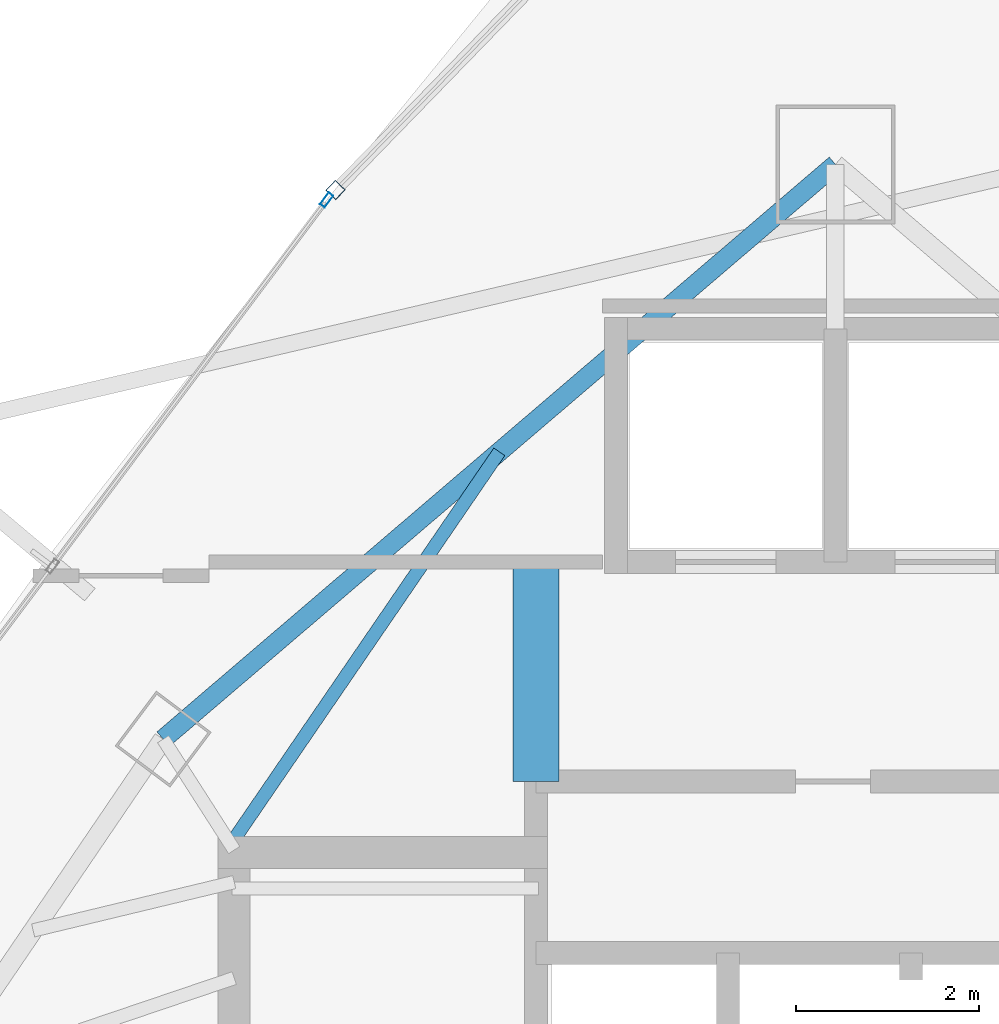
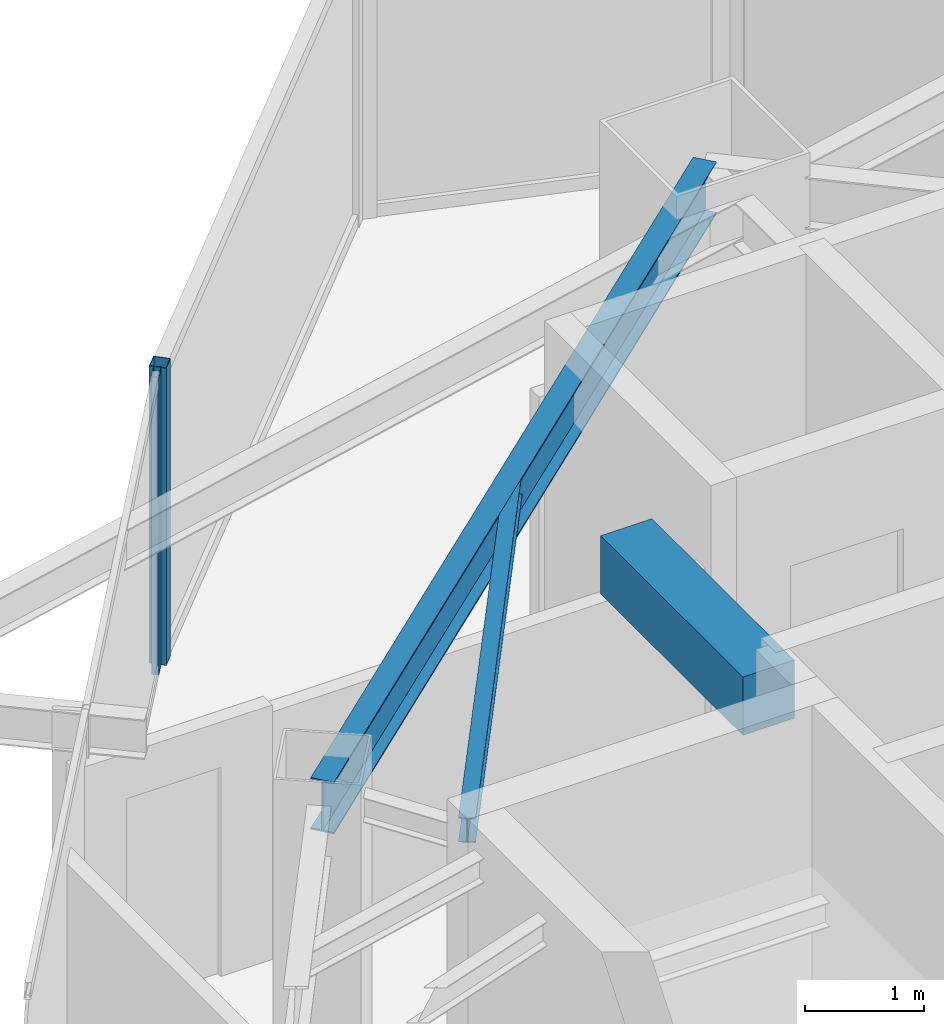
# One storey, part 22 of 32: 3 beams, 2 members, 2 elements without a shape of their own.
"""IFC4 building model written with IfcOpenShell, lengths in metres."""

import ifcopenshell
import ifcopenshell.guid

model = None  # the IFC model being written
_history = None  # IfcOwnerHistory: only IFC2X3 demands one
_inside = {}  # id of a spatial element -> (the spatial element, [elements in it])
_under = {}  # id of a project, library or spatial element -> (it, [spatial elements below it])
_declared = {}  # id of a project -> (the project, [libraries it declares])
_typed = {}  # id of a type object -> (the type object, [elements of that type])
_made_of = {}  # id of a material, layer set ... -> (it, [elements and type objects made of it])


def new_model(schema):
    """Start an empty IFC model of exactly this schema.

    Asked for "IFC4X3", IfcOpenShell would pick the latest addendum, in which some entities
    have other attributes; the version numbers below select the first issue.
    IFC2X3 requires an IfcOwnerHistory on every rooted entity: one is made here for all.
    """
    global model, _history
    if schema == "IFC4X3":
        model = ifcopenshell.file(schema_version=(4, 3, 0, 0))
    else:
        model = ifcopenshell.file(schema=schema)
    _inside.clear()
    _under.clear()
    _declared.clear()
    _typed.clear()
    _made_of.clear()
    _history = None
    if model.schema == "IFC2X3":
        org = make("IfcOrganization", Name="unknown")
        user = make(
            "IfcPersonAndOrganization",
            ThePerson=make("IfcPerson", FamilyName="unknown"),
            TheOrganization=org,
        )
        app = make(
            "IfcApplication",
            ApplicationDeveloper=org,
            Version="unknown",
            ApplicationFullName="unknown",
            ApplicationIdentifier="unknown",
        )
        _history = make(
            "IfcOwnerHistory",
            OwningUser=user,
            OwningApplication=app,
            ChangeAction="ADDED",
            CreationDate=0,
        )
    return model


def make(cls, **values):
    """One entity of the class cls with the attributes given. An attribute that is None is left unset."""
    return model.create_entity(
        cls, **{name: value for name, value in values.items() if value is not None}
    )


def rooted(cls, **values):
    """An entity with a GlobalId (a new one), such as an element, a storey or a relation."""
    return make(cls, GlobalId=ifcopenshell.guid.new(), OwnerHistory=_history, **values)


def si_unit(unit_type, name, prefix=None):
    """IfcSIUnit, for example si_unit("LENGTHUNIT", "METRE", prefix="MILLI")."""
    return make("IfcSIUnit", UnitType=unit_type, Prefix=prefix, Name=name)


def assignment(units):
    """IfcUnitAssignment: the units of a project."""
    return None if units is None else make("IfcUnitAssignment", Units=units)


def point(xyz):
    """IfcCartesianPoint."""
    return None if xyz is None else make("IfcCartesianPoint", Coordinates=xyz)


def direction(xyz):
    """IfcDirection."""
    return None if xyz is None else make("IfcDirection", DirectionRatios=xyz)


def frame(location, z_axis=None, x_axis=None):
    """IfcAxis2Placement3D, a coordinate frame: its origin and axes. An axis left out is left unset."""
    return make(
        "IfcAxis2Placement3D",
        Location=point(location),
        Axis=direction(z_axis),
        RefDirection=direction(x_axis),
    )


def frame_2d(location, x_axis=None):
    """IfcAxis2Placement2D, a coordinate frame in the plane: its origin and x axis."""
    return make(
        "IfcAxis2Placement2D", Location=point(location), RefDirection=direction(x_axis)
    )


def origin():
    """The frame at (0, 0, 0) with its axes left unset."""
    return frame((0.0, 0.0, 0.0))


def origin_2d():
    """The frame at (0, 0) in the plane with its x axis left unset."""
    return frame_2d((0.0, 0.0))


def place(relative_to, where):
    """IfcLocalPlacement: puts the frame where relative to a parent placement (None: the world)."""
    return make(
        "IfcLocalPlacement", PlacementRelTo=relative_to, RelativePlacement=where
    )


def context(
    kind, dimensions, precision=None, world=None, true_north=None, identifier=None
):
    """IfcGeometricRepresentationContext, for example the 3D "Model" context."""
    return make(
        "IfcGeometricRepresentationContext",
        ContextIdentifier=identifier,
        ContextType=kind,
        CoordinateSpaceDimension=dimensions,
        Precision=precision,
        WorldCoordinateSystem=world,
        TrueNorth=true_north,
    )


def subcontext(parent, identifier, kind, view, scale=None):
    """IfcGeometricRepresentationSubContext, for example "Body" below "Model"."""
    return make(
        "IfcGeometricRepresentationSubContext",
        ContextIdentifier=identifier,
        ContextType=kind,
        ParentContext=parent,
        TargetScale=scale,
        TargetView=view,
    )


def project(units=None, contexts=None):
    """IfcProject with its units and contexts."""
    return rooted(
        "IfcProject",
        Name="project",
        RepresentationContexts=contexts,
        UnitsInContext=assignment(units),
    )


def spatial(cls, under=None, at=None, **own):
    """A site, building, storey or space (cls), placed at a placement, below another one or the project."""
    s = rooted(cls, ObjectPlacement=at, **own)
    if under is not None:
        _under.setdefault(under.id(), (under, []))[1].append(s)
    return s


def profile(cls, at=None, kind="AREA", **sizes):
    """A parametric profile (cls). Its sizes go by their IFC names, for example OverallWidth=200.0."""
    return make(cls, ProfileType=kind, Position=at, **sizes)


def rectangle(**sizes):
    """IfcRectangleProfileDef."""
    return profile("IfcRectangleProfileDef", **sizes)


def hollow_rectangle(**sizes):
    """IfcRectangleHollowProfileDef."""
    return profile("IfcRectangleHollowProfileDef", **sizes)


def i_section(**sizes):
    """IfcIShapeProfileDef."""
    return profile("IfcIShapeProfileDef", **sizes)


def extrude(swept, where, along, depth):
    """IfcExtrudedAreaSolid: the profile swept, set in the frame where, extruded along a direction by depth."""
    return make(
        "IfcExtrudedAreaSolid",
        SweptArea=swept,
        Position=where,
        ExtrudedDirection=direction(along),
        Depth=depth,
    )


def shape(context_of_items, identifier, shape_type, items):
    """IfcShapeRepresentation: the items that make up one representation, for example the "Body"."""
    return make(
        "IfcShapeRepresentation",
        ContextOfItems=context_of_items,
        RepresentationIdentifier=identifier,
        RepresentationType=shape_type,
        Items=items,
    )


def material(Name=None, Category=None):
    """IfcMaterial."""
    return make("IfcMaterial", Name=Name, Category=Category)


def layer(
    of_material, thickness, ventilated=None, Name=None, Category=None, Priority=None
):
    """IfcMaterialLayer: one layer of a wall or slab, of a material (None: an air gap)."""
    return make(
        "IfcMaterialLayer",
        Material=of_material,
        LayerThickness=thickness,
        IsVentilated=ventilated,
        Name=Name,
        Category=Category,
        Priority=Priority,
    )


def layer_set(layers, Name=None):
    """IfcMaterialLayerSet."""
    return make("IfcMaterialLayerSet", MaterialLayers=layers, LayerSetName=Name)


def material_profile(
    of_material, cross_section, Name=None, Category=None, Priority=None
):
    """IfcMaterialProfile: a cross section and its material."""
    return make(
        "IfcMaterialProfile",
        Name=Name,
        Material=of_material,
        Profile=cross_section,
        Priority=Priority,
        Category=Category,
    )


def profile_set(profiles, Name=None, composite=None):
    """IfcMaterialProfileSet."""
    return make(
        "IfcMaterialProfileSet",
        Name=Name,
        MaterialProfiles=profiles,
        CompositeProfile=composite,
    )


def made_of(thing, what):
    """Note that an element or type object is made of a material, layer set ...; save() writes the relation."""
    if what is not None:
        _made_of.setdefault(what.id(), (what, []))[1].append(thing)
    return thing


def type_object(cls, material=None, **own):
    """A type object (cls), such as IfcWallType, which elements share."""
    return made_of(rooted(cls, **own), material)


def element(
    cls,
    number,
    at=None,
    inside=None,
    cuts=None,
    type_object=None,
    material=None,
    context=None,
    identifier="Body",
    shape_type=None,
    held_by="IfcProductDefinitionShape",
    body=None,
    shapes=None,
    **own,
):
    """One element of the class cls, such as IfcWall. Its Tag is "e" and its number.

    at: its placement. inside: the storey or other place that contains it. cuts: it is an
    opening in that element (IfcRelVoidsElement). A single representation is given by context,
    identifier, shape_type and body (its items); several are given by shapes. held_by: the class
    of the entity that holds the representations. save() writes the other relations.
    """
    e = rooted(cls, Tag="e%d" % number, ObjectPlacement=at, **own)
    if body is not None:
        shapes = [shape(context, identifier, shape_type, body)]
    if shapes is not None:
        e.Representation = make(held_by, Representations=shapes)
    if inside is not None:
        _inside.setdefault(inside.id(), (inside, []))[1].append(e)
    if cuts is not None:
        rooted(
            "IfcRelVoidsElement", RelatingBuildingElement=cuts, RelatedOpeningElement=e
        )
    if type_object is not None:
        _typed.setdefault(type_object.id(), (type_object, []))[1].append(e)
    return made_of(e, material)


def aggregate(whole, parts):
    """IfcRelAggregates: a whole, such as a stair, and the parts it consists of."""
    return rooted("IfcRelAggregates", RelatingObject=whole, RelatedObjects=parts)


def save(model, path):
    """Write the relations noted so far, then the file.

    IfcRelAggregates (storeys below a building ...), IfcRelContainedInSpatialStructure (elements
    in a storey), IfcRelDefinesByType, IfcRelAssociatesMaterial and IfcRelDeclares: one each for
    every whole, place, type object, material and project.
    """
    for whole, parts in _under.values():
        aggregate(whole, parts)
    for where, things in _inside.values():
        rooted(
            "IfcRelContainedInSpatialStructure",
            RelatedElements=things,
            RelatingStructure=where,
        )
    for kind, things in _typed.values():
        rooted("IfcRelDefinesByType", RelatedObjects=things, RelatingType=kind)
    for what, things in _made_of.values():
        rooted("IfcRelAssociatesMaterial", RelatedObjects=things, RelatingMaterial=what)
    for by, libraries in _declared.values():
        rooted("IfcRelDeclares", RelatingContext=by, RelatedDefinitions=libraries)
    model.write(path)


model = new_model("IFC4")

# Units and contexts
model_context = context("Model", 3, precision=1e-05, world=origin(), true_north=direction((0.0, 1.0)))
body_context = subcontext(model_context, "Body", "Model", "MODEL_VIEW")
ifc_project = project(units=[si_unit("LENGTHUNIT", "METRE"), si_unit("AREAUNIT", "SQUARE_METRE"), si_unit("VOLUMEUNIT", "CUBIC_METRE"), si_unit("PLANEANGLEUNIT", "RADIAN"), si_unit("MASSUNIT", "GRAM", prefix="KILO")], contexts=[model_context])

# Site, building, storey
site_placement = place(None, origin())
site = spatial("IfcSite", under=ifc_project, at=site_placement, CompositionType="ELEMENT")
building_placement = place(site_placement, origin())
building = spatial("IfcBuilding", under=site, at=building_placement, Name="Orvanel Arch Residences", CompositionType="ELEMENT")
storey_placement = place(building_placement, frame((0.0, 0.0, 222.800048828125)))
storey = spatial("IfcBuildingStorey", under=building, at=storey_placement, Name="L63", CompositionType="ELEMENT", Elevation=222.800048828125)

# Beams
ifc_material_1 = material(Name="Structural steel AS/NZS 3679.1 Grade 300 (300 MPa)", Category="steel")
ifc_material_profile_1 = material_profile(ifc_material_1, i_section(OverallWidth=0.14599609375, OverallDepth=0.251953125, WebThickness=0.006103515625, FlangeThickness=0.008544921875, at=origin_2d()), Name="250UB31.4")
ifc_profile_set_1 = profile_set([ifc_material_profile_1], Name="Structural steel AS/NZS 3679.1 Grade 300 (300 MPa)")
beam_type_1 = type_object("IfcBeamType", Name="BJ-250UB", PredefinedType="JOIST", material=ifc_profile_set_1)
beam_1_placement = place(storey_placement, frame((26.425048828125, 34.02001953125, 2.933837890625), z_axis=(0.564868085352, 0.825181220188, 0.0), x_axis=(-0.825181220188, 0.564868085352, 0.0)))
element("IfcBeam", 1, at=beam_1_placement, inside=storey, type_object=beam_type_1, Name="L63 NNW2 Wing Floor Joist", PredefinedType="JOIST", context=body_context, shape_type="SweptSolid", body=[
    extrude(i_section(OverallWidth=0.14599609375, OverallDepth=0.251953125, WebThickness=0.006103515625, FlangeThickness=0.008544921875, at=origin_2d()), origin(), (0.0, 0.0, 1.0), 5.132080078125),
])
ifc_material_2 = material(Name="Concrete S65 (65 MPa)", Category="concrete")
ifc_material_profile_2 = material_profile(ifc_material_2, rectangle(XDim=0.5, YDim=0.60009765625, at=origin_2d()), Name="RC500x600")
ifc_profile_set_2 = profile_set([ifc_material_profile_2], Name="Concrete S65 (65 MPa)")
beam_type_2 = type_object("IfcBeamType", Name="CB-500x600", PredefinedType="LINTEL", material=ifc_profile_set_2)
beam_2_placement = place(storey_placement, frame((29.72509765625, 34.64990234375, 2.760009765625), z_axis=(0.0, 1.0, 0.0), x_axis=(-1.0, 0.0, 0.0)))
element("IfcBeam", 2, at=beam_2_placement, inside=storey, type_object=beam_type_2, Name="L63 West Core Lobby Coupling Lintel Beam", PredefinedType="LINTEL", context=body_context, shape_type="SweptSolid", body=[
    extrude(rectangle(XDim=0.5, YDim=0.60009765625, at=origin_2d()), origin(), (0.0, 0.0, 1.0), 2.400146484375),
])

# Curtain wall, member
ifc_material_3 = material(Name="Bronze-anodised aluminium AA6063-T6", Category="aluminium")
ifc_layer_1 = layer(ifc_material_3, 0.18994140625)
ifc_layer_set_1 = layer_set([ifc_layer_1], Name="Bronze-anodised aluminium AA6063-T6")
curtain_wall_type_1 = type_object("IfcCurtainWallType", Name="CW5-CRN-SYS", PredefinedType="NOTDEFINED", material=ifc_layer_set_1)
curtain_wall_1_placement = place(storey_placement, origin())
curtain_wall_1 = element("IfcCurtainWall", 3, at=curtain_wall_1_placement, inside=storey, type_object=curtain_wall_type_1, Name="L63 CW5-CRN-SYS Unitised Curtain Wall", PredefinedType="NOTDEFINED")
ifc_material_profile_3 = material_profile(ifc_material_3, hollow_rectangle(XDim=0.14990234375, YDim=0.14990234375, WallThickness=0.0048828125, at=origin_2d()), Name="ALU150x150x5")
ifc_profile_set_3 = profile_set([ifc_material_profile_3], Name="Bronze-anodised aluminium AA6063-T6")
member_type_1 = type_object("IfcMemberType", Name="MUL-150x150", PredefinedType="MULLION", material=ifc_profile_set_3)
member_1_placement = place(storey_placement, frame((27.533203125, 41.11767578125, 0.0), z_axis=(0.0, 0.0, 1.0), x_axis=(0.717266764401, -0.696798671558, 0.0)))
member_1 = element("IfcMember", 4, at=member_1_placement, type_object=member_type_1, Name="CW-S5 mullion 2", PredefinedType="MULLION", context=body_context, shape_type="SweptSolid", body=[
    extrude(hollow_rectangle(XDim=0.14990234375, YDim=0.14990234375, WallThickness=0.0048828125, at=origin_2d()), origin(), (0.0, 0.0, 1.0), 3.06005859375),
])
aggregate(curtain_wall_1, [member_1])

ifc_layer_2 = layer(ifc_material_3, 0.175048828125)
ifc_layer_set_2 = layer_set([ifc_layer_2], Name="Bronze-anodised aluminium AA6063-T6")
curtain_wall_type_2 = type_object("IfcCurtainWallType", Name="CW4-HI-SYS", PredefinedType="NOTDEFINED", material=ifc_layer_set_2)
curtain_wall_2_placement = place(storey_placement, origin())
curtain_wall_2 = element("IfcCurtainWall", 5, at=curtain_wall_2_placement, inside=storey, type_object=curtain_wall_type_2, Name="L63 CW4-HI-SYS Unitised Curtain Wall", PredefinedType="NOTDEFINED")
ifc_material_profile_4 = material_profile(ifc_material_3, hollow_rectangle(XDim=0.06494140625, YDim=0.159912109375, WallThickness=0.00390625, at=origin_2d()), Name="ALU160x65x4")
ifc_profile_set_4 = profile_set([ifc_material_profile_4], Name="Bronze-anodised aluminium AA6063-T6")
member_type_2 = type_object("IfcMemberType", Name="MUL-160x65", PredefinedType="MULLION", material=ifc_profile_set_4)
member_2_placement = place(storey_placement, frame((27.435546875, 41.008056640625, 0.0), z_axis=(0.0, 0.0, 1.0), x_axis=(0.800476458044, -0.599364196559, 0.0)))
member_2 = element("IfcMember", 6, at=member_2_placement, type_object=member_type_2, Name="CW-S4 mullion 1", PredefinedType="MULLION", context=body_context, shape_type="SweptSolid", body=[
    extrude(hollow_rectangle(XDim=0.06494140625, YDim=0.159912109375, WallThickness=0.00390625, at=origin_2d()), origin(), (0.0, 0.0, 1.0), 3.06005859375),
])
aggregate(curtain_wall_2, [member_2])

# Beam
ifc_material_profile_5 = material_profile(ifc_material_1, i_section(OverallWidth=0.208984375, OverallDepth=0.532958984375, WebThickness=0.01025390625, FlangeThickness=0.015625, at=origin_2d()), Name="530UB92.4")
ifc_profile_set_5 = profile_set([ifc_material_profile_5], Name="Structural steel AS/NZS 3679.1 Grade 300 (300 MPa)")
beam_type_3 = type_object("IfcBeamType", Name="SP-530UB", PredefinedType="SPANDREL", material=ifc_profile_set_5)
beam_3_placement = place(storey_placement, frame((33.0, 41.39794921875, 2.7939453125), z_axis=(-0.760116518398, -0.649786794617, 0.0), x_axis=(0.649786794617, -0.760116518398, 0.0)))
element("IfcBeam", 7, at=beam_3_placement, inside=storey, type_object=beam_type_3, Name="L63 Perimeter Spandrel Beam 10", PredefinedType="SPANDREL", context=body_context, shape_type="SweptSolid", body=[
    extrude(i_section(OverallWidth=0.208984375, OverallDepth=0.532958984375, WebThickness=0.01025390625, FlangeThickness=0.015625, at=origin_2d()), origin(), (0.0, 0.0, 1.0), 9.67236328125),
])

save(model, "model.ifc")
